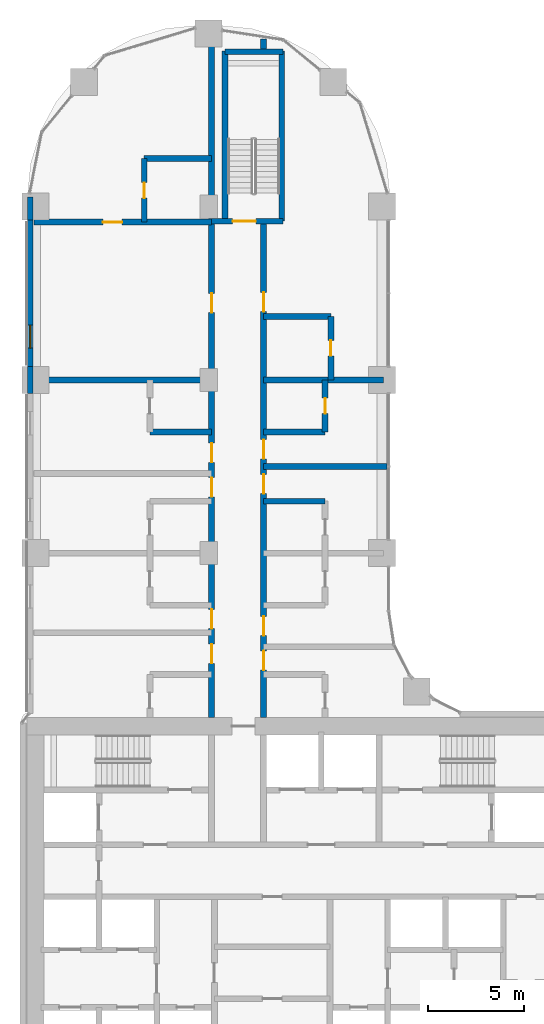
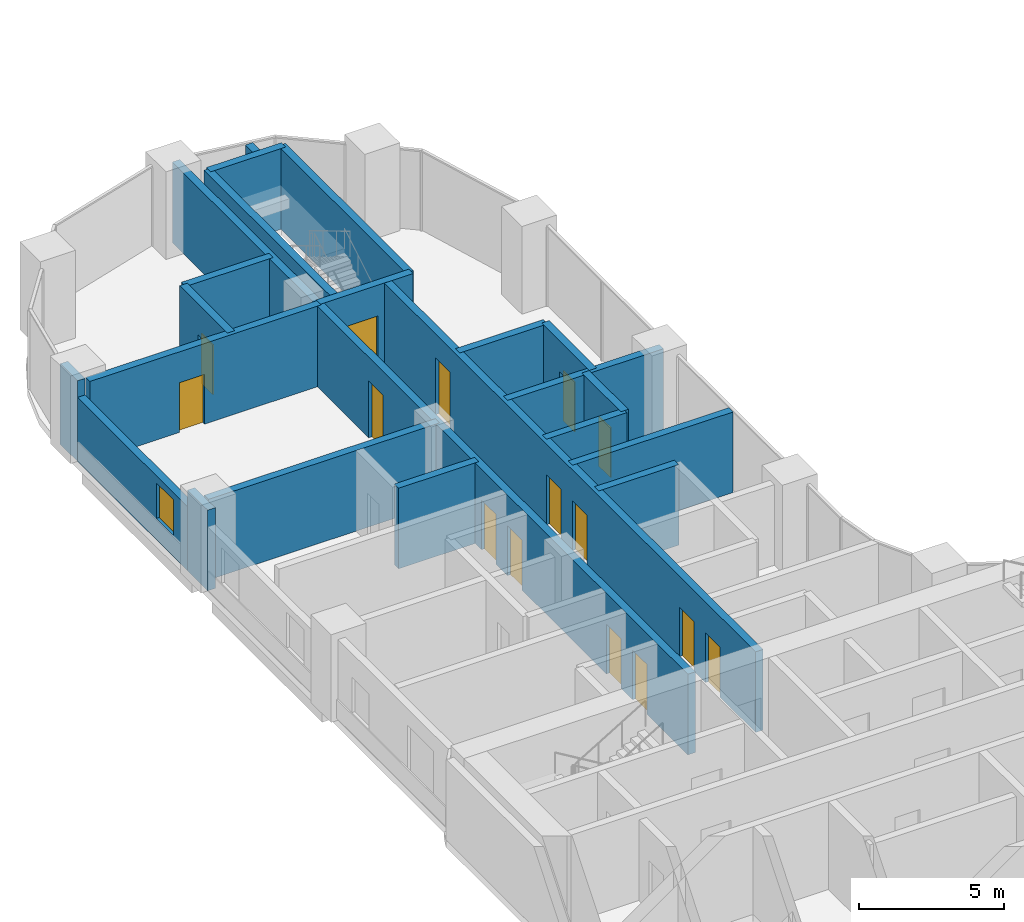
# One storey, part 20 of 31: 22 walls, 15 doors, 1 window, 16 openings.
"""IFC4 building model written with IfcOpenShell, lengths in metres."""

from ifc_helpers import new_model, si_unit, direction, frame, frame_2d, origin, place, context, subcontext, project, spatial, rectangle, extrude, material, layer, layer_set, type_object, element, fill, save


model = new_model("IFC4")

# Units and contexts
model_context = context("Model", 3, precision=1e-05, world=origin(), true_north=direction((0.0, 1.0)))
body_context = subcontext(model_context, "Body", "Model", "MODEL_VIEW")
ifc_project = project(units=[si_unit("LENGTHUNIT", "METRE"), si_unit("AREAUNIT", "SQUARE_METRE"), si_unit("VOLUMEUNIT", "CUBIC_METRE"), si_unit("PLANEANGLEUNIT", "RADIAN"), si_unit("MASSUNIT", "GRAM", prefix="KILO")], contexts=[model_context])

# Site, building, storey
site_placement = place(None, origin())
site = spatial("IfcSite", under=ifc_project, at=site_placement, CompositionType="ELEMENT")
building_placement = place(site_placement, origin())
building = spatial("IfcBuilding", under=site, at=building_placement, Name="Ogive Portal Towers", CompositionType="ELEMENT")
storey_placement = place(building_placement, frame((0.0, 0.0, 40.89990234375)))
storey = spatial("IfcBuildingStorey", under=building, at=storey_placement, Name="L08", CompositionType="ELEMENT", Elevation=40.89990234375)

# Wall
ifc_material_1 = material(Name="Limestone cladding on lightweight block wall", Category="masonry")
ifc_layer_1 = layer(ifc_material_1, 0.300048828125)
ifc_layer_set_1 = layer_set([ifc_layer_1], Name="EXTERNAL WALL 300 STONE")
wall_type_1 = type_object("IfcWallType", Name="EXTERNAL WALL 300 STONE", PredefinedType="SOLIDWALL", material=ifc_layer_set_1)
wall_1_placement = place(storey_placement, frame((31.22509765625, 66.9921875, 0.0), z_axis=(0.0, 0.0, 1.0), x_axis=(0.0, -1.0, 0.0)))
element("IfcWall", 1, at=wall_1_placement, inside=storey, type_object=wall_type_1, Name="A:L08:f13:r0:wall", PredefinedType="SOLIDWALL", context=body_context, shape_type="SweptSolid", body=[
    extrude(rectangle(XDim=1.192138671875, YDim=0.300048828125, at=frame_2d((0.59619140625, 0.0))), origin(), (0.0, 0.0, 1.0), 3.400146484375),
])

# Wall, opening, window
wall_2_placement = place(storey_placement, frame((31.22509765625, 65.800048828125, 0.0), z_axis=(0.0, 0.0, 1.0), x_axis=(0.0, -1.0, 0.0)))
wall_2 = element("IfcWall", 2, at=wall_2_placement, inside=storey, type_object=wall_type_1, Name="A:L08:f13:r0:wall1", PredefinedType="SOLIDWALL", context=body_context, shape_type="SweptSolid", body=[
    extrude(rectangle(XDim=7.60009765625, YDim=0.300048828125, at=frame_2d((3.800048828125, 0.0))), origin(), (0.0, 0.0, 1.0), 2.7001953125),
])
opening_1_placement = place(wall_2_placement, frame((5.449951171875, 0.0, 0.89990234375)))
opening_1 = element("IfcOpeningElement", 3, at=opening_1_placement, cuts=wall_2, Name="Opening WN9", PredefinedType="OPENING", context=body_context, shape_type="SweptSolid", body=[
    extrude(rectangle(XDim=1.199951171875, YDim=1.5, at=frame_2d((0.60009765625, 0.75))), frame((0.0, 0.16015625, 0.0), z_axis=(0.0, -1.0, 0.0), x_axis=(1.0, 0.0, 0.0)), (0.0, 0.0, 1.0), 0.320068359375),
])
ifc_material_2 = material(Name="Glass, clear low-iron insulated glazing", Category="glass")
window_type = type_object("IfcWindowType", Name="WINDOW HOTEL CASEMENT 1200x1500", PartitioningType="DOUBLE_PANEL_VERTICAL", PredefinedType="WINDOW", material=ifc_material_2)
window_placement = place(opening_1_placement, origin())
window = element("IfcWindow", 4, at=window_placement, inside=storey, type_object=window_type, Name="A:L08:f13:r0:w1", OverallHeight=1.5, OverallWidth=1.199951171875, PartitioningType="SINGLE_PANEL", PredefinedType="WINDOW", context=body_context, shape_type="SweptSolid", body=[
    extrude(rectangle(XDim=1.199951171875, YDim=1.5, at=frame_2d((0.60009765625, 0.75))), frame((0.0, 0.030029296875, 0.0), z_axis=(0.0, -1.0, 0.0), x_axis=(1.0, 0.0, 0.0)), (0.0, 0.0, 1.0), 0.06005859375),
])
fill(opening_1, window)

# Wall
wall_3_placement = place(storey_placement, frame((31.22509765625, 58.199951171875, 0.0), z_axis=(0.0, 0.0, 1.0), x_axis=(0.0, -1.0, 0.0)))
element("IfcWall", 5, at=wall_3_placement, inside=storey, type_object=wall_type_1, Name="A:L08:f13:r0:wall2", PredefinedType="SOLIDWALL", context=body_context, shape_type="SweptSolid", body=[
    extrude(rectangle(XDim=1.39990234375, YDim=0.300048828125, at=frame_2d((0.699951171875, 0.0))), origin(), (0.0, 0.0, 1.0), 3.400146484375),
])

# Wall, opening, door
ifc_material_3 = material(Name="Concrete C50/60", Category="concrete")
ifc_layer_2 = layer(ifc_material_3, 0.300048828125)
ifc_layer_set_2 = layer_set([ifc_layer_2], Name="STAIR WALL 300 C50")
wall_type_2 = type_object("IfcWallType", Name="STAIR WALL 300 C50", PredefinedType="SHEAR", material=ifc_layer_set_2)
wall_4_placement = place(storey_placement, frame((40.64990234375, 65.75, 0.0), z_axis=(0.0, 0.0, 1.0), x_axis=(1.0, 0.0, 0.0)))
wall_4 = element("IfcWall", 6, at=wall_4_placement, inside=storey, type_object=wall_type_2, Name="Stair wall ST-A3 L08", PredefinedType="SHEAR", context=body_context, shape_type="SweptSolid", body=[
    extrude(rectangle(XDim=3.7001953125, YDim=0.300048828125, at=frame_2d((1.85009765625, 0.0))), origin(), (0.0, 0.0, 1.0), 3.400146484375),
])
opening_2_placement = place(wall_4_placement, frame((1.10009765625, 0.0, 0.0)))
opening_2 = element("IfcOpeningElement", 7, at=opening_2_placement, cuts=wall_4, Name="Opening D01-071", PredefinedType="OPENING", context=body_context, shape_type="SweptSolid", body=[
    extrude(rectangle(XDim=1.199951171875, YDim=2.10009765625, at=frame_2d((0.60009765625, 1.050048828125))), frame((0.0, 0.16015625, 0.0), z_axis=(0.0, -1.0, 0.0), x_axis=(1.0, 0.0, 0.0)), (0.0, 0.0, 1.0), 0.320068359375),
])
ifc_material_4 = material(Name="Steel fire door", Category="steel")
door_type_1 = type_object("IfcDoorType", Name="DT-STAIR-1200x2100-FD90S", OperationType="SINGLE_SWING_LEFT", PredefinedType="DOOR", material=ifc_material_4)
door_1_placement = place(opening_2_placement, origin())
door_1 = element("IfcDoor", 8, at=door_1_placement, inside=storey, type_object=door_type_1, Name="Door D01-071", OperationType="SINGLE_SWING_RIGHT", OverallHeight=2.10009765625, OverallWidth=1.199951171875, PredefinedType="DOOR", context=body_context, shape_type="SweptSolid", body=[
    extrude(rectangle(XDim=1.199951171875, YDim=2.10009765625, at=frame_2d((0.60009765625, 1.050048828125))), frame((0.0, 0.02490234375, 0.0), z_axis=(0.0, -1.0, 0.0), x_axis=(1.0, 0.0, 0.0)), (0.0, 0.0, 1.0), 0.050048828125),
])
fill(opening_2, door_1)

# Walls
wall_5_placement = place(storey_placement, frame((41.35009765625, 74.550048828125, 0.0), z_axis=(0.0, 0.0, 1.0), x_axis=(1.0, 0.0, 0.0)))
element("IfcWall", 9, at=wall_5_placement, inside=storey, type_object=wall_type_2, Name="Stair wall ST-A3 L08", PredefinedType="SHEAR", context=body_context, shape_type="SweptSolid", body=[
    extrude(rectangle(XDim=3.0, YDim=0.300048828125, at=frame_2d((1.5, 0.0))), origin(), (0.0, 0.0, 1.0), 3.400146484375),
])
for number, where, z_axis, x_axis, name in (
    (10, (41.35009765625, 65.75, 0.0), (0.0, 0.0, 1.0), (0.0, 1.0, 0.0), "Stair wall ST-A3 L08"),
    (11, (44.300048828125, 65.75, 0.0), (0.0, 0.0, 1.0), (0.0, 1.0, 0.0), "Stair wall ST-A3 L08"),
):
    element("IfcWall", number, at=place(storey_placement, frame(where, z_axis=z_axis, x_axis=x_axis)), inside=storey, type_object=wall_type_2, Name=name, PredefinedType="SHEAR", context=body_context, shape_type="SweptSolid", body=[
        extrude(rectangle(XDim=8.85009765625, YDim=0.300048828125, at=frame_2d((4.425048828125, 0.0))), origin(), (0.0, 0.0, 1.0), 3.400146484375),
    ])
ifc_material_5 = material(Name="Gypsum board partition on steel studs", Category="steel")
ifc_layer_3 = layer(ifc_material_5, 0.300048828125)
ifc_layer_set_3 = layer_set([ifc_layer_3], Name="WT-PART-300-EI 60")
wall_type_3 = type_object("IfcWallType", Name="WT-PART-300-EI 60", PredefinedType="PARTITIONING", material=ifc_layer_set_3)
wall_6_placement = place(storey_placement, frame((43.35009765625, 51.199951171875, 0.0), z_axis=(0.0, 0.0, 1.0), x_axis=(1.0, 0.0, 0.0)))
element("IfcWall", 12, at=wall_6_placement, inside=storey, type_object=wall_type_3, Name="Wall L08:w023", PredefinedType="PARTITIONING", context=body_context, shape_type="SweptSolid", body=[
    extrude(rectangle(XDim=3.199951171875, YDim=0.300048828125, at=frame_2d((1.60009765625, 0.0))), origin(), (0.0, 0.0, 1.0), 3.400146484375),
])
wall_7_placement = place(storey_placement, frame((43.35009765625, 53.0, 0.0), z_axis=(0.0, 0.0, 1.0), x_axis=(1.0, 0.0, 0.0)))
element("IfcWall", 13, at=wall_7_placement, inside=storey, type_object=wall_type_3, Name="Wall L08:w025", PredefinedType="PARTITIONING", context=body_context, shape_type="SweptSolid", body=[
    extrude(rectangle(XDim=6.40478515625, YDim=0.300048828125, at=frame_2d((3.202392578125, 0.0))), origin(), (0.0, 0.0, 1.0), 3.400146484375),
])
for number, where, z_axis, x_axis, name in (
    (14, (37.449951171875, 54.800048828125, 0.0), (0.0, 0.0, 1.0), (1.0, 0.0, 0.0), "Wall L08:w026"),
    (15, (43.35009765625, 54.800048828125, 0.0), (0.0, 0.0, 1.0), (1.0, 0.0, 0.0), "Wall L08:w027"),
):
    element("IfcWall", number, at=place(storey_placement, frame(where, z_axis=z_axis, x_axis=x_axis)), inside=storey, type_object=wall_type_3, Name=name, PredefinedType="PARTITIONING", context=body_context, shape_type="SweptSolid", body=[
        extrude(rectangle(XDim=3.199951171875, YDim=0.300048828125, at=frame_2d((1.60009765625, 0.0))), origin(), (0.0, 0.0, 1.0), 3.400146484375),
    ])
wall_8_placement = place(storey_placement, frame((31.425048828125, 57.5, 0.0), z_axis=(0.0, 0.0, 1.0), x_axis=(1.0, 0.0, 0.0)))
element("IfcWall", 16, at=wall_8_placement, inside=storey, type_object=wall_type_3, Name="Wall L08:w028", PredefinedType="PARTITIONING", context=body_context, shape_type="SweptSolid", body=[
    extrude(rectangle(XDim=9.224853515625, YDim=0.300048828125, at=frame_2d((4.6123046875, 0.0))), origin(), (0.0, 0.0, 1.0), 3.400146484375),
])
wall_9_placement = place(storey_placement, frame((43.35009765625, 57.5, 0.0), z_axis=(0.0, 0.0, 1.0), x_axis=(1.0, 0.0, 0.0)))
element("IfcWall", 17, at=wall_9_placement, inside=storey, type_object=wall_type_3, Name="Wall L08:w029", PredefinedType="PARTITIONING", context=body_context, shape_type="SweptSolid", body=[
    extrude(rectangle(XDim=6.224853515625, YDim=0.300048828125, at=frame_2d((3.1123046875, 0.0))), origin(), (0.0, 0.0, 1.0), 3.400146484375),
])
wall_10_placement = place(storey_placement, frame((43.35009765625, 60.800048828125, 0.0), z_axis=(0.0, 0.0, 1.0), x_axis=(1.0, 0.0, 0.0)))
element("IfcWall", 18, at=wall_10_placement, inside=storey, type_object=wall_type_3, Name="Wall L08:w030", PredefinedType="PARTITIONING", context=body_context, shape_type="SweptSolid", body=[
    extrude(rectangle(XDim=3.5, YDim=0.300048828125, at=frame_2d((1.75, 0.0))), origin(), (0.0, 0.0, 1.0), 3.400146484375),
])

# Wall, opening, door
wall_11_placement = place(storey_placement, frame((31.425048828125, 65.699951171875, 0.0), z_axis=(0.0, 0.0, 1.0), x_axis=(1.0, 0.0, 0.0)))
wall_11 = element("IfcWall", 19, at=wall_11_placement, inside=storey, type_object=wall_type_3, Name="Wall L08:w031", PredefinedType="PARTITIONING", context=body_context, shape_type="SweptSolid", body=[
    extrude(rectangle(XDim=9.224853515625, YDim=0.300048828125, at=frame_2d((4.6123046875, 0.0))), origin(), (0.0, 0.0, 1.0), 3.400146484375),
])
opening_3_placement = place(wall_11_placement, frame((3.574951171875, 0.0, 0.0)))
opening_3 = element("IfcOpeningElement", 20, at=opening_3_placement, cuts=wall_11, Name="Opening D01-065", PredefinedType="OPENING", context=body_context, shape_type="SweptSolid", body=[
    extrude(rectangle(XDim=1.0, YDim=2.10009765625, at=frame_2d((0.5, 1.050048828125))), frame((0.0, 0.16015625, 0.0), z_axis=(0.0, -1.0, 0.0), x_axis=(1.0, 0.0, 0.0)), (0.0, 0.0, 1.0), 0.320068359375),
])
door_type_2 = type_object("IfcDoorType", Name="DT-ENTRY-1000x2100-FD60S", OperationType="SINGLE_SWING_LEFT", PredefinedType="DOOR", material=ifc_material_4)
door_2_placement = place(opening_3_placement, origin())
door_2 = element("IfcDoor", 21, at=door_2_placement, inside=storey, type_object=door_type_2, Name="Door D01-065", OperationType="SINGLE_SWING_RIGHT", OverallHeight=2.10009765625, OverallWidth=1.0, PredefinedType="DOOR", context=body_context, shape_type="SweptSolid", body=[
    extrude(rectangle(XDim=1.0, YDim=2.10009765625, at=frame_2d((0.5, 1.050048828125))), frame((0.0, 0.02490234375, 0.0), z_axis=(0.0, -1.0, 0.0), x_axis=(1.0, 0.0, 0.0)), (0.0, 0.0, 1.0), 0.050048828125),
])
fill(opening_3, door_2)

# Wall
wall_12_placement = place(storey_placement, frame((37.14990234375, 69.0, 0.0), z_axis=(0.0, 0.0, 1.0), x_axis=(1.0, 0.0, 0.0)))
element("IfcWall", 22, at=wall_12_placement, inside=storey, type_object=wall_type_3, Name="Wall L08:w033", PredefinedType="PARTITIONING", context=body_context, shape_type="SweptSolid", body=[
    extrude(rectangle(XDim=3.5, YDim=0.300048828125, at=frame_2d((1.75, 0.0))), origin(), (0.0, 0.0, 1.0), 3.400146484375),
])

# Wall, opening, door
wall_13_placement = place(storey_placement, frame((37.14990234375, 65.699951171875, 0.0), z_axis=(0.0, 0.0, 1.0), x_axis=(0.0, 1.0, 0.0)))
wall_13 = element("IfcWall", 23, at=wall_13_placement, inside=storey, type_object=wall_type_3, Name="Wall L08:w035", PredefinedType="PARTITIONING", context=body_context, shape_type="SweptSolid", body=[
    extrude(rectangle(XDim=3.300048828125, YDim=0.300048828125, at=frame_2d((1.64990234375, 0.0))), origin(), (0.0, 0.0, 1.0), 3.400146484375),
])
opening_4_placement = place(wall_13_placement, frame((1.25, 0.0, 0.0)))
opening_4 = element("IfcOpeningElement", 24, at=opening_4_placement, cuts=wall_13, Name="Opening D01-066", PredefinedType="OPENING", context=body_context, shape_type="SweptSolid", body=[
    extrude(rectangle(XDim=0.800048828125, YDim=2.10009765625, at=frame_2d((0.39990234375, 1.050048828125))), frame((0.0, 0.16015625, 0.0), z_axis=(0.0, -1.0, 0.0), x_axis=(1.0, 0.0, 0.0)), (0.0, 0.0, 1.0), 0.320068359375),
])
door_type_3 = type_object("IfcDoorType", Name="DT-BATH-800x2100-FD60S", OperationType="SINGLE_SWING_LEFT", PredefinedType="DOOR", material=ifc_material_4)
door_3_placement = place(opening_4_placement, origin())
door_3 = element("IfcDoor", 25, at=door_3_placement, inside=storey, type_object=door_type_3, Name="Door D01-066", OperationType="SINGLE_SWING_LEFT", OverallHeight=2.10009765625, OverallWidth=0.800048828125, PredefinedType="DOOR", context=body_context, shape_type="SweptSolid", body=[
    extrude(rectangle(XDim=0.800048828125, YDim=2.10009765625, at=frame_2d((0.39990234375, 1.050048828125))), frame((0.0, 0.02490234375, 0.0), z_axis=(0.0, -1.0, 0.0), x_axis=(1.0, 0.0, 0.0)), (0.0, 0.0, 1.0), 0.050048828125),
])
fill(opening_4, door_3)

# Wall, openings, doors
wall_14_placement = place(storey_placement, frame((40.64990234375, 39.949951171875, 0.0), z_axis=(0.0, 0.0, 1.0), x_axis=(0.0, 1.0, 0.0)))
wall_14 = element("IfcWall", 26, at=wall_14_placement, inside=storey, type_object=wall_type_3, Name="Wall L08:w039", PredefinedType="PARTITIONING", context=body_context, shape_type="SweptSolid", body=[
    extrude(rectangle(XDim=35.625, YDim=0.300048828125, at=frame_2d((17.8125, 0.0))), origin(), (0.0, 0.0, 1.0), 3.400146484375),
])
opening_5_placement = place(wall_14_placement, frame((2.830078125, 0.0, 0.0)))
opening_5 = element("IfcOpeningElement", 27, at=opening_5_placement, cuts=wall_14, Name="Opening D01-051", PredefinedType="OPENING", context=body_context, shape_type="SweptSolid", body=[
    extrude(rectangle(XDim=1.0, YDim=2.10009765625, at=frame_2d((0.5, 1.050048828125))), frame((0.0, 0.16015625, 0.0), z_axis=(0.0, -1.0, 0.0), x_axis=(1.0, 0.0, 0.0)), (0.0, 0.0, 1.0), 0.320068359375),
])
opening_6_placement = place(wall_14_placement, frame((4.6298828125, 0.0, 0.0)))
opening_6 = element("IfcOpeningElement", 28, at=opening_6_placement, cuts=wall_14, Name="Opening D01-053", PredefinedType="OPENING", context=body_context, shape_type="SweptSolid", body=[
    extrude(rectangle(XDim=1.0, YDim=2.10009765625, at=frame_2d((0.5, 1.050048828125))), frame((0.0, 0.16015625, 0.0), z_axis=(0.0, -1.0, 0.0), x_axis=(1.0, 0.0, 0.0)), (0.0, 0.0, 1.0), 0.320068359375),
])
opening_7_placement = place(wall_14_placement, frame((11.469970703125, 0.0, 0.0)))
opening_7 = element("IfcOpeningElement", 29, at=opening_7_placement, cuts=wall_14, Name="Opening D01-059", PredefinedType="OPENING", context=body_context, shape_type="SweptSolid", body=[
    extrude(rectangle(XDim=1.0, YDim=2.10009765625, at=frame_2d((0.5, 1.050048828125))), frame((0.0, 0.16015625, 0.0), z_axis=(0.0, -1.0, 0.0), x_axis=(1.0, 0.0, 0.0)), (0.0, 0.0, 1.0), 0.320068359375),
])
opening_8_placement = place(wall_14_placement, frame((13.27001953125, 0.0, 0.0)))
opening_8 = element("IfcOpeningElement", 30, at=opening_8_placement, cuts=wall_14, Name="Opening D01-061", PredefinedType="OPENING", context=body_context, shape_type="SweptSolid", body=[
    extrude(rectangle(XDim=1.0, YDim=2.10009765625, at=frame_2d((0.5, 1.050048828125))), frame((0.0, 0.16015625, 0.0), z_axis=(0.0, -1.0, 0.0), x_axis=(1.0, 0.0, 0.0)), (0.0, 0.0, 1.0), 0.320068359375),
])
opening_9_placement = place(wall_14_placement, frame((21.050048828125, 0.0, 0.0)))
opening_9 = element("IfcOpeningElement", 31, at=opening_9_placement, cuts=wall_14, Name="Opening D01-064", PredefinedType="OPENING", context=body_context, shape_type="SweptSolid", body=[
    extrude(rectangle(XDim=1.0, YDim=2.39990234375, at=frame_2d((0.5, 1.199951171875))), frame((0.0, 0.16015625, 0.0), z_axis=(0.0, -1.0, 0.0), x_axis=(1.0, 0.0, 0.0)), (0.0, 0.0, 1.0), 0.320068359375),
])
door_4_placement = place(opening_5_placement, origin())
door_4 = element("IfcDoor", 32, at=door_4_placement, inside=storey, type_object=door_type_2, Name="Door D01-051", OperationType="SINGLE_SWING_RIGHT", OverallHeight=2.10009765625, OverallWidth=1.0, PredefinedType="DOOR", context=body_context, shape_type="SweptSolid", body=[
    extrude(rectangle(XDim=1.0, YDim=2.10009765625, at=frame_2d((0.5, 1.050048828125))), frame((0.0, 0.02490234375, 0.0), z_axis=(0.0, -1.0, 0.0), x_axis=(1.0, 0.0, 0.0)), (0.0, 0.0, 1.0), 0.050048828125),
])
fill(opening_5, door_4)
door_5_placement = place(opening_6_placement, origin())
door_5 = element("IfcDoor", 33, at=door_5_placement, inside=storey, type_object=door_type_2, Name="Door D01-053", OperationType="SINGLE_SWING_LEFT", OverallHeight=2.10009765625, OverallWidth=1.0, PredefinedType="DOOR", context=body_context, shape_type="SweptSolid", body=[
    extrude(rectangle(XDim=1.0, YDim=2.10009765625, at=frame_2d((0.5, 1.050048828125))), frame((0.0, 0.02490234375, 0.0), z_axis=(0.0, -1.0, 0.0), x_axis=(1.0, 0.0, 0.0)), (0.0, 0.0, 1.0), 0.050048828125),
])
fill(opening_6, door_5)
door_6_placement = place(opening_7_placement, origin())
door_6 = element("IfcDoor", 34, at=door_6_placement, inside=storey, type_object=door_type_2, Name="Door D01-059", OperationType="SINGLE_SWING_LEFT", OverallHeight=2.10009765625, OverallWidth=1.0, PredefinedType="DOOR", context=body_context, shape_type="SweptSolid", body=[
    extrude(rectangle(XDim=1.0, YDim=2.10009765625, at=frame_2d((0.5, 1.050048828125))), frame((0.0, 0.02490234375, 0.0), z_axis=(0.0, -1.0, 0.0), x_axis=(1.0, 0.0, 0.0)), (0.0, 0.0, 1.0), 0.050048828125),
])
fill(opening_7, door_6)
door_7_placement = place(opening_8_placement, origin())
door_7 = element("IfcDoor", 35, at=door_7_placement, inside=storey, type_object=door_type_2, Name="Door D01-061", OperationType="SINGLE_SWING_LEFT", OverallHeight=2.10009765625, OverallWidth=1.0, PredefinedType="DOOR", context=body_context, shape_type="SweptSolid", body=[
    extrude(rectangle(XDim=1.0, YDim=2.10009765625, at=frame_2d((0.5, 1.050048828125))), frame((0.0, 0.02490234375, 0.0), z_axis=(0.0, -1.0, 0.0), x_axis=(1.0, 0.0, 0.0)), (0.0, 0.0, 1.0), 0.050048828125),
])
fill(opening_8, door_7)
door_type_4 = type_object("IfcDoorType", Name="DT-ENTRY-1000x2400-FD60S", OperationType="SINGLE_SWING_LEFT", PredefinedType="DOOR", material=ifc_material_4)
door_8_placement = place(opening_9_placement, origin())
door_8 = element("IfcDoor", 36, at=door_8_placement, inside=storey, type_object=door_type_4, Name="Door D01-064", OperationType="SINGLE_SWING_LEFT", OverallHeight=2.39990234375, OverallWidth=1.0, PredefinedType="DOOR", context=body_context, shape_type="SweptSolid", body=[
    extrude(rectangle(XDim=1.0, YDim=2.39990234375, at=frame_2d((0.5, 1.199951171875))), frame((0.0, 0.02490234375, 0.0), z_axis=(0.0, -1.0, 0.0), x_axis=(1.0, 0.0, 0.0)), (0.0, 0.0, 1.0), 0.050048828125),
])
fill(opening_9, door_8)

# Wall, opening, door
wall_15_placement = place(storey_placement, frame((46.550048828125, 54.800048828125, 0.0), z_axis=(0.0, 0.0, 1.0), x_axis=(0.0, 1.0, 0.0)))
wall_15 = element("IfcWall", 37, at=wall_15_placement, inside=storey, type_object=wall_type_3, Name="Wall L08:w046", PredefinedType="PARTITIONING", context=body_context, shape_type="SweptSolid", body=[
    extrude(rectangle(XDim=2.699951171875, YDim=0.300048828125, at=frame_2d((1.35009765625, 0.0))), origin(), (0.0, 0.0, 1.0), 3.400146484375),
])
opening_10_placement = place(wall_15_placement, frame((0.949951171875, 0.0, 0.0)))
opening_10 = element("IfcOpeningElement", 38, at=opening_10_placement, cuts=wall_15, Name="Opening D01-056", PredefinedType="OPENING", context=body_context, shape_type="SweptSolid", body=[
    extrude(rectangle(XDim=0.800048828125, YDim=2.10009765625, at=frame_2d((0.39990234375, 1.050048828125))), frame((0.0, 0.16015625, 0.0), z_axis=(0.0, -1.0, 0.0), x_axis=(1.0, 0.0, 0.0)), (0.0, 0.0, 1.0), 0.320068359375),
])
door_9_placement = place(opening_10_placement, origin())
door_9 = element("IfcDoor", 39, at=door_9_placement, inside=storey, type_object=door_type_3, Name="Door D01-056", OperationType="SINGLE_SWING_LEFT", OverallHeight=2.10009765625, OverallWidth=0.800048828125, PredefinedType="DOOR", context=body_context, shape_type="SweptSolid", body=[
    extrude(rectangle(XDim=0.800048828125, YDim=2.10009765625, at=frame_2d((0.39990234375, 1.050048828125))), frame((0.0, 0.02490234375, 0.0), z_axis=(0.0, -1.0, 0.0), x_axis=(1.0, 0.0, 0.0)), (0.0, 0.0, 1.0), 0.050048828125),
])
fill(opening_10, door_9)

wall_16_placement = place(storey_placement, frame((46.85009765625, 57.5, 0.0), z_axis=(0.0, 0.0, 1.0), x_axis=(0.0, 1.0, 0.0)))
wall_16 = element("IfcWall", 40, at=wall_16_placement, inside=storey, type_object=wall_type_3, Name="Wall L08:w047", PredefinedType="PARTITIONING", context=body_context, shape_type="SweptSolid", body=[
    extrude(rectangle(XDim=3.300048828125, YDim=0.300048828125, at=frame_2d((1.64990234375, 0.0))), origin(), (0.0, 0.0, 1.0), 3.400146484375),
])
opening_11_placement = place(wall_16_placement, frame((1.25, 0.0, 0.0)))
opening_11 = element("IfcOpeningElement", 41, at=opening_11_placement, cuts=wall_16, Name="Opening D01-062", PredefinedType="OPENING", context=body_context, shape_type="SweptSolid", body=[
    extrude(rectangle(XDim=0.800048828125, YDim=2.10009765625, at=frame_2d((0.39990234375, 1.050048828125))), frame((0.0, 0.16015625, 0.0), z_axis=(0.0, -1.0, 0.0), x_axis=(1.0, 0.0, 0.0)), (0.0, 0.0, 1.0), 0.320068359375),
])
door_10_placement = place(opening_11_placement, origin())
door_10 = element("IfcDoor", 42, at=door_10_placement, inside=storey, type_object=door_type_3, Name="Door D01-062", OperationType="SINGLE_SWING_LEFT", OverallHeight=2.10009765625, OverallWidth=0.800048828125, PredefinedType="DOOR", context=body_context, shape_type="SweptSolid", body=[
    extrude(rectangle(XDim=0.800048828125, YDim=2.10009765625, at=frame_2d((0.39990234375, 1.050048828125))), frame((0.0, 0.02490234375, 0.0), z_axis=(0.0, -1.0, 0.0), x_axis=(1.0, 0.0, 0.0)), (0.0, 0.0, 1.0), 0.050048828125),
])
fill(opening_11, door_10)

# Wall, openings, doors
ifc_material_6 = material(Name="Concrete C40/50", Category="concrete")
ifc_layer_4 = layer(ifc_material_6, 0.300048828125)
ifc_layer_set_4 = layer_set([ifc_layer_4], Name="WT-SHAFT-300")
wall_type_4 = type_object("IfcWallType", Name="WT-SHAFT-300", PredefinedType="SOLIDWALL", material=ifc_layer_set_4)
wall_17_placement = place(storey_placement, frame((43.35009765625, 39.949951171875, 0.0), z_axis=(0.0, 0.0, 1.0), x_axis=(0.0, 1.0, 0.0)))
wall_17 = element("IfcWall", 43, at=wall_17_placement, inside=storey, type_object=wall_type_4, Name="Wall L08:w041", PredefinedType="SOLIDWALL", context=body_context, shape_type="SweptSolid", body=[
    extrude(rectangle(XDim=25.85009765625, YDim=0.300048828125, at=frame_2d((12.925048828125, 0.0))), origin(), (0.0, 0.0, 1.0), 3.400146484375),
])
opening_12_placement = place(wall_17_placement, frame((2.469970703125, 0.0, 0.0)))
opening_12 = element("IfcOpeningElement", 44, at=opening_12_placement, cuts=wall_17, Name="Opening D01-047", PredefinedType="OPENING", context=body_context, shape_type="SweptSolid", body=[
    extrude(rectangle(XDim=1.0, YDim=2.10009765625, at=frame_2d((0.5, 1.050048828125))), frame((0.0, 0.16015625, 0.0), z_axis=(0.0, -1.0, 0.0), x_axis=(1.0, 0.0, 0.0)), (0.0, 0.0, 1.0), 0.320068359375),
])
opening_13_placement = place(wall_17_placement, frame((4.27001953125, 0.0, 0.0)))
opening_13 = element("IfcOpeningElement", 45, at=opening_13_placement, cuts=wall_17, Name="Opening D01-049", PredefinedType="OPENING", context=body_context, shape_type="SweptSolid", body=[
    extrude(rectangle(XDim=1.0, YDim=2.10009765625, at=frame_2d((0.5, 1.050048828125))), frame((0.0, 0.16015625, 0.0), z_axis=(0.0, -1.0, 0.0), x_axis=(1.0, 0.0, 0.0)), (0.0, 0.0, 1.0), 0.320068359375),
])
opening_14_placement = place(wall_17_placement, frame((11.64990234375, 0.0, 0.0)))
opening_14 = element("IfcOpeningElement", 46, at=opening_14_placement, cuts=wall_17, Name="Opening D01-055", PredefinedType="OPENING", context=body_context, shape_type="SweptSolid", body=[
    extrude(rectangle(XDim=1.0, YDim=2.10009765625, at=frame_2d((0.5, 1.050048828125))), frame((0.0, 0.16015625, 0.0), z_axis=(0.0, -1.0, 0.0), x_axis=(1.0, 0.0, 0.0)), (0.0, 0.0, 1.0), 0.320068359375),
])
opening_15_placement = place(wall_17_placement, frame((13.449951171875, 0.0, 0.0)))
opening_15 = element("IfcOpeningElement", 47, at=opening_15_placement, cuts=wall_17, Name="Opening D01-057", PredefinedType="OPENING", context=body_context, shape_type="SweptSolid", body=[
    extrude(rectangle(XDim=1.0, YDim=2.10009765625, at=frame_2d((0.5, 1.050048828125))), frame((0.0, 0.16015625, 0.0), z_axis=(0.0, -1.0, 0.0), x_axis=(1.0, 0.0, 0.0)), (0.0, 0.0, 1.0), 0.320068359375),
])
opening_16_placement = place(wall_17_placement, frame((21.10009765625, 0.0, 0.0)))
opening_16 = element("IfcOpeningElement", 48, at=opening_16_placement, cuts=wall_17, Name="Opening D01-063", PredefinedType="OPENING", context=body_context, shape_type="SweptSolid", body=[
    extrude(rectangle(XDim=1.0, YDim=2.39990234375, at=frame_2d((0.5, 1.199951171875))), frame((0.0, 0.16015625, 0.0), z_axis=(0.0, -1.0, 0.0), x_axis=(1.0, 0.0, 0.0)), (0.0, 0.0, 1.0), 0.320068359375),
])
door_type_5 = type_object("IfcDoorType", Name="DT-ENTRY-1000x2100-FD90S", OperationType="SINGLE_SWING_LEFT", PredefinedType="DOOR", material=ifc_material_4)
door_11_placement = place(opening_12_placement, origin())
door_11 = element("IfcDoor", 49, at=door_11_placement, inside=storey, type_object=door_type_5, Name="Door D01-047", OperationType="SINGLE_SWING_LEFT", OverallHeight=2.10009765625, OverallWidth=1.0, PredefinedType="DOOR", context=body_context, shape_type="SweptSolid", body=[
    extrude(rectangle(XDim=1.0, YDim=2.10009765625, at=frame_2d((0.5, 1.050048828125))), frame((0.0, 0.02490234375, 0.0), z_axis=(0.0, -1.0, 0.0), x_axis=(1.0, 0.0, 0.0)), (0.0, 0.0, 1.0), 0.050048828125),
])
fill(opening_12, door_11)
door_12_placement = place(opening_13_placement, origin())
door_12 = element("IfcDoor", 50, at=door_12_placement, inside=storey, type_object=door_type_5, Name="Door D01-049", OperationType="SINGLE_SWING_LEFT", OverallHeight=2.10009765625, OverallWidth=1.0, PredefinedType="DOOR", context=body_context, shape_type="SweptSolid", body=[
    extrude(rectangle(XDim=1.0, YDim=2.10009765625, at=frame_2d((0.5, 1.050048828125))), frame((0.0, 0.02490234375, 0.0), z_axis=(0.0, -1.0, 0.0), x_axis=(1.0, 0.0, 0.0)), (0.0, 0.0, 1.0), 0.050048828125),
])
fill(opening_13, door_12)
door_13_placement = place(opening_14_placement, origin())
door_13 = element("IfcDoor", 51, at=door_13_placement, inside=storey, type_object=door_type_5, Name="Door D01-055", OperationType="SINGLE_SWING_LEFT", OverallHeight=2.10009765625, OverallWidth=1.0, PredefinedType="DOOR", context=body_context, shape_type="SweptSolid", body=[
    extrude(rectangle(XDim=1.0, YDim=2.10009765625, at=frame_2d((0.5, 1.050048828125))), frame((0.0, 0.02490234375, 0.0), z_axis=(0.0, -1.0, 0.0), x_axis=(1.0, 0.0, 0.0)), (0.0, 0.0, 1.0), 0.050048828125),
])
fill(opening_14, door_13)
door_14_placement = place(opening_15_placement, origin())
door_14 = element("IfcDoor", 52, at=door_14_placement, inside=storey, type_object=door_type_5, Name="Door D01-057", OperationType="SINGLE_SWING_RIGHT", OverallHeight=2.10009765625, OverallWidth=1.0, PredefinedType="DOOR", context=body_context, shape_type="SweptSolid", body=[
    extrude(rectangle(XDim=1.0, YDim=2.10009765625, at=frame_2d((0.5, 1.050048828125))), frame((0.0, 0.02490234375, 0.0), z_axis=(0.0, -1.0, 0.0), x_axis=(1.0, 0.0, 0.0)), (0.0, 0.0, 1.0), 0.050048828125),
])
fill(opening_15, door_14)
door_type_6 = type_object("IfcDoorType", Name="DT-ENTRY-1000x2400-FD90S", OperationType="SINGLE_SWING_LEFT", PredefinedType="DOOR", material=ifc_material_4)
door_15_placement = place(opening_16_placement, origin())
door_15 = element("IfcDoor", 53, at=door_15_placement, inside=storey, type_object=door_type_6, Name="Door D01-063", OperationType="SINGLE_SWING_RIGHT", OverallHeight=2.39990234375, OverallWidth=1.0, PredefinedType="DOOR", context=body_context, shape_type="SweptSolid", body=[
    extrude(rectangle(XDim=1.0, YDim=2.39990234375, at=frame_2d((0.5, 1.199951171875))), frame((0.0, 0.02490234375, 0.0), z_axis=(0.0, -1.0, 0.0), x_axis=(1.0, 0.0, 0.0)), (0.0, 0.0, 1.0), 0.050048828125),
])
fill(opening_16, door_15)

# Wall
wall_18_placement = place(storey_placement, frame((43.35009765625, 74.698974609375, 0.0), z_axis=(0.0, 0.0, 1.0), x_axis=(0.0, 1.0, 0.0)))
element("IfcWall", 54, at=wall_18_placement, inside=storey, type_object=wall_type_4, Name="Wall L08:w042", PredefinedType="SOLIDWALL", context=body_context, shape_type="SweptSolid", body=[
    extrude(rectangle(XDim=0.50390625, YDim=0.300048828125, at=frame_2d((0.251953125, 0.0))), origin(), (0.0, 0.0, 1.0), 3.400146484375),
])

save(model, "model.ifc")
